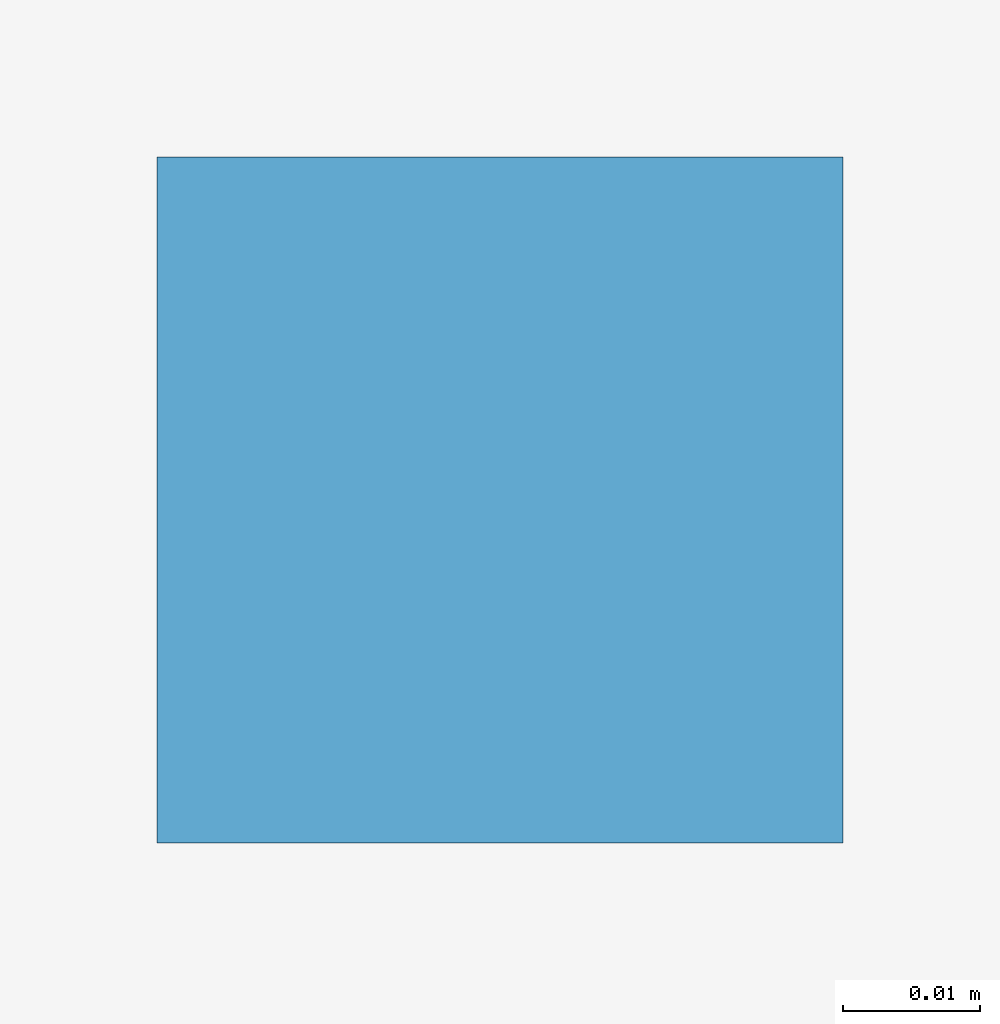
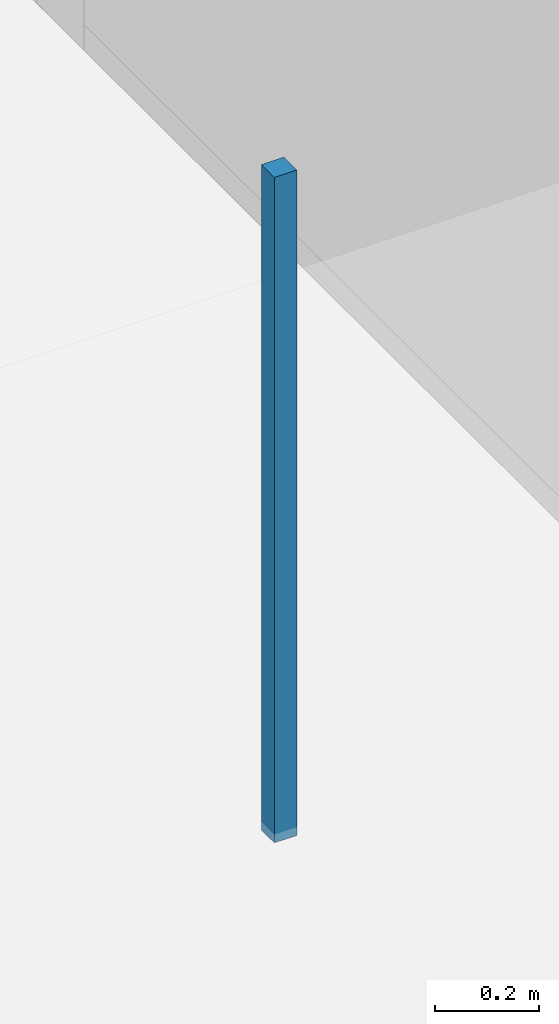
# One storey, part 40 of 56: 1 discrete accessory.
"""IFC4 building model written with IfcOpenShell, lengths in metres."""

import ifcopenshell
import ifcopenshell.guid

model = None  # the IFC model being written
_history = None  # IfcOwnerHistory: only IFC2X3 demands one
_inside = {}  # id of a spatial element -> (the spatial element, [elements in it])
_under = {}  # id of a project, library or spatial element -> (it, [spatial elements below it])
_declared = {}  # id of a project -> (the project, [libraries it declares])
_typed = {}  # id of a type object -> (the type object, [elements of that type])
_made_of = {}  # id of a material, layer set ... -> (it, [elements and type objects made of it])


def new_model(schema):
    """Start an empty IFC model of exactly this schema.

    Asked for "IFC4X3", IfcOpenShell would pick the latest addendum, in which some entities
    have other attributes; the version numbers below select the first issue.
    IFC2X3 requires an IfcOwnerHistory on every rooted entity: one is made here for all.
    """
    global model, _history
    if schema == "IFC4X3":
        model = ifcopenshell.file(schema_version=(4, 3, 0, 0))
    else:
        model = ifcopenshell.file(schema=schema)
    _inside.clear()
    _under.clear()
    _declared.clear()
    _typed.clear()
    _made_of.clear()
    _history = None
    if model.schema == "IFC2X3":
        org = make("IfcOrganization", Name="unknown")
        user = make(
            "IfcPersonAndOrganization",
            ThePerson=make("IfcPerson", FamilyName="unknown"),
            TheOrganization=org,
        )
        app = make(
            "IfcApplication",
            ApplicationDeveloper=org,
            Version="unknown",
            ApplicationFullName="unknown",
            ApplicationIdentifier="unknown",
        )
        _history = make(
            "IfcOwnerHistory",
            OwningUser=user,
            OwningApplication=app,
            ChangeAction="ADDED",
            CreationDate=0,
        )
    return model


def make(cls, **values):
    """One entity of the class cls with the attributes given. An attribute that is None is left unset."""
    return model.create_entity(
        cls, **{name: value for name, value in values.items() if value is not None}
    )


def rooted(cls, **values):
    """An entity with a GlobalId (a new one), such as an element, a storey or a relation."""
    return make(cls, GlobalId=ifcopenshell.guid.new(), OwnerHistory=_history, **values)


def si_unit(unit_type, name, prefix=None):
    """IfcSIUnit, for example si_unit("LENGTHUNIT", "METRE", prefix="MILLI")."""
    return make("IfcSIUnit", UnitType=unit_type, Prefix=prefix, Name=name)


def assignment(units):
    """IfcUnitAssignment: the units of a project."""
    return None if units is None else make("IfcUnitAssignment", Units=units)


def point(xyz):
    """IfcCartesianPoint."""
    return None if xyz is None else make("IfcCartesianPoint", Coordinates=xyz)


def direction(xyz):
    """IfcDirection."""
    return None if xyz is None else make("IfcDirection", DirectionRatios=xyz)


def frame(location, z_axis=None, x_axis=None):
    """IfcAxis2Placement3D, a coordinate frame: its origin and axes. An axis left out is left unset."""
    return make(
        "IfcAxis2Placement3D",
        Location=point(location),
        Axis=direction(z_axis),
        RefDirection=direction(x_axis),
    )


def frame_2d(location, x_axis=None):
    """IfcAxis2Placement2D, a coordinate frame in the plane: its origin and x axis."""
    return make(
        "IfcAxis2Placement2D", Location=point(location), RefDirection=direction(x_axis)
    )


def origin():
    """The frame at (0, 0, 0) with its axes left unset."""
    return frame((0.0, 0.0, 0.0))


def origin_2d():
    """The frame at (0, 0) in the plane with its x axis left unset."""
    return frame_2d((0.0, 0.0))


def place(relative_to, where):
    """IfcLocalPlacement: puts the frame where relative to a parent placement (None: the world)."""
    return make(
        "IfcLocalPlacement", PlacementRelTo=relative_to, RelativePlacement=where
    )


def context(
    kind, dimensions, precision=None, world=None, true_north=None, identifier=None
):
    """IfcGeometricRepresentationContext, for example the 3D "Model" context."""
    return make(
        "IfcGeometricRepresentationContext",
        ContextIdentifier=identifier,
        ContextType=kind,
        CoordinateSpaceDimension=dimensions,
        Precision=precision,
        WorldCoordinateSystem=world,
        TrueNorth=true_north,
    )


def subcontext(parent, identifier, kind, view, scale=None):
    """IfcGeometricRepresentationSubContext, for example "Body" below "Model"."""
    return make(
        "IfcGeometricRepresentationSubContext",
        ContextIdentifier=identifier,
        ContextType=kind,
        ParentContext=parent,
        TargetScale=scale,
        TargetView=view,
    )


def project(units=None, contexts=None):
    """IfcProject with its units and contexts."""
    return rooted(
        "IfcProject",
        Name="project",
        RepresentationContexts=contexts,
        UnitsInContext=assignment(units),
    )


def spatial(cls, under=None, at=None, **own):
    """A site, building, storey or space (cls), placed at a placement, below another one or the project."""
    s = rooted(cls, ObjectPlacement=at, **own)
    if under is not None:
        _under.setdefault(under.id(), (under, []))[1].append(s)
    return s


def profile(cls, at=None, kind="AREA", **sizes):
    """A parametric profile (cls). Its sizes go by their IFC names, for example OverallWidth=200.0."""
    return make(cls, ProfileType=kind, Position=at, **sizes)


def rectangle(**sizes):
    """IfcRectangleProfileDef."""
    return profile("IfcRectangleProfileDef", **sizes)


def extrude(swept, where, along, depth):
    """IfcExtrudedAreaSolid: the profile swept, set in the frame where, extruded along a direction by depth."""
    return make(
        "IfcExtrudedAreaSolid",
        SweptArea=swept,
        Position=where,
        ExtrudedDirection=direction(along),
        Depth=depth,
    )


def shape(context_of_items, identifier, shape_type, items):
    """IfcShapeRepresentation: the items that make up one representation, for example the "Body"."""
    return make(
        "IfcShapeRepresentation",
        ContextOfItems=context_of_items,
        RepresentationIdentifier=identifier,
        RepresentationType=shape_type,
        Items=items,
    )


def material(Name=None, Category=None):
    """IfcMaterial."""
    return make("IfcMaterial", Name=Name, Category=Category)


def made_of(thing, what):
    """Note that an element or type object is made of a material, layer set ...; save() writes the relation."""
    if what is not None:
        _made_of.setdefault(what.id(), (what, []))[1].append(thing)
    return thing


def type_object(cls, material=None, **own):
    """A type object (cls), such as IfcWallType, which elements share."""
    return made_of(rooted(cls, **own), material)


def element(
    cls,
    number,
    at=None,
    inside=None,
    cuts=None,
    type_object=None,
    material=None,
    context=None,
    identifier="Body",
    shape_type=None,
    held_by="IfcProductDefinitionShape",
    body=None,
    shapes=None,
    **own,
):
    """One element of the class cls, such as IfcWall. Its Tag is "e" and its number.

    at: its placement. inside: the storey or other place that contains it. cuts: it is an
    opening in that element (IfcRelVoidsElement). A single representation is given by context,
    identifier, shape_type and body (its items); several are given by shapes. held_by: the class
    of the entity that holds the representations. save() writes the other relations.
    """
    e = rooted(cls, Tag="e%d" % number, ObjectPlacement=at, **own)
    if body is not None:
        shapes = [shape(context, identifier, shape_type, body)]
    if shapes is not None:
        e.Representation = make(held_by, Representations=shapes)
    if inside is not None:
        _inside.setdefault(inside.id(), (inside, []))[1].append(e)
    if cuts is not None:
        rooted(
            "IfcRelVoidsElement", RelatingBuildingElement=cuts, RelatedOpeningElement=e
        )
    if type_object is not None:
        _typed.setdefault(type_object.id(), (type_object, []))[1].append(e)
    return made_of(e, material)


def aggregate(whole, parts):
    """IfcRelAggregates: a whole, such as a stair, and the parts it consists of."""
    return rooted("IfcRelAggregates", RelatingObject=whole, RelatedObjects=parts)


def save(model, path):
    """Write the relations noted so far, then the file.

    IfcRelAggregates (storeys below a building ...), IfcRelContainedInSpatialStructure (elements
    in a storey), IfcRelDefinesByType, IfcRelAssociatesMaterial and IfcRelDeclares: one each for
    every whole, place, type object, material and project.
    """
    for whole, parts in _under.values():
        aggregate(whole, parts)
    for where, things in _inside.values():
        rooted(
            "IfcRelContainedInSpatialStructure",
            RelatedElements=things,
            RelatingStructure=where,
        )
    for kind, things in _typed.values():
        rooted("IfcRelDefinesByType", RelatedObjects=things, RelatingType=kind)
    for what, things in _made_of.values():
        rooted("IfcRelAssociatesMaterial", RelatedObjects=things, RelatingMaterial=what)
    for by, libraries in _declared.values():
        rooted("IfcRelDeclares", RelatingContext=by, RelatedDefinitions=libraries)
    model.write(path)


model = new_model("IFC4")

# Units and contexts
model_context = context("Model", 3, precision=1e-05, world=origin(), true_north=direction((0.0, 1.0)))
body_context = subcontext(model_context, "Body", "Model", "MODEL_VIEW")
ifc_project = project(units=[si_unit("LENGTHUNIT", "METRE"), si_unit("AREAUNIT", "SQUARE_METRE"), si_unit("VOLUMEUNIT", "CUBIC_METRE"), si_unit("PLANEANGLEUNIT", "RADIAN"), si_unit("MASSUNIT", "GRAM", prefix="KILO")], contexts=[model_context])

# Site, building, storey
site_placement = place(None, origin())
site = spatial("IfcSite", under=ifc_project, at=site_placement, CompositionType="ELEMENT")
building_placement = place(site_placement, origin())
building = spatial("IfcBuilding", under=site, at=building_placement, Name="Kazehaya Institute of Natural Sciences", CompositionType="ELEMENT")
storey_placement = place(building_placement, origin())
storey = spatial("IfcBuildingStorey", under=building, at=storey_placement, Name="L00", CompositionType="ELEMENT", Elevation=0.0)

# Discrete accessory
ifc_material = material(Name="Structural steel SN490B", Category="steel")
discrete_accessory_type = type_object("IfcDiscreteAccessoryType", Name="ACC-CLG-HGR", PredefinedType="BRACKET", material=ifc_material)
discrete_accessory_placement = place(storey_placement, frame((108.5, 46.39990234375, 3.75244140625), z_axis=(0.0, 0.0, 1.0), x_axis=(1.0, 0.0, 0.0)))
element("IfcDiscreteAccessory", 1, at=discrete_accessory_placement, inside=storey, type_object=discrete_accessory_type, Name="L00 ceiling suspension hanger 11", PredefinedType="BRACKET", context=body_context, shape_type="SweptSolid", body=[
    extrude(rectangle(XDim=0.050048828125, YDim=0.050048828125, at=origin_2d()), origin(), (0.0, 0.0, 1.0), 1.5673828125),
])

save(model, "model.ifc")
